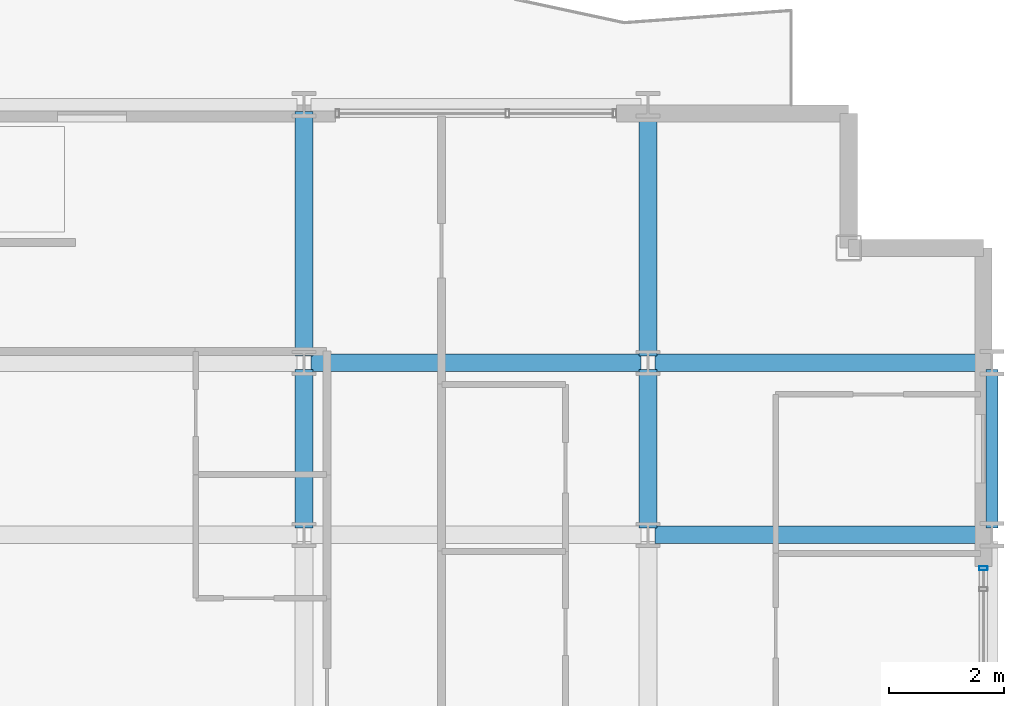
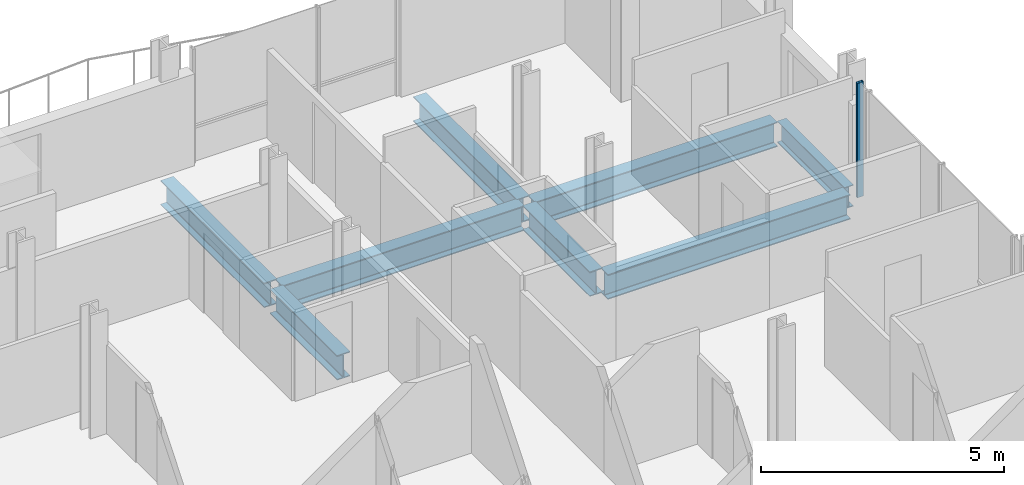
# One storey, part 20 of 41: 8 beams, 1 member, 1 element without a shape of its own.
"""IFC4 building model written with IfcOpenShell, lengths in metres."""

import ifcopenshell
import ifcopenshell.guid

model = None  # the IFC model being written
_history = None  # IfcOwnerHistory: only IFC2X3 demands one
_inside = {}  # id of a spatial element -> (the spatial element, [elements in it])
_under = {}  # id of a project, library or spatial element -> (it, [spatial elements below it])
_declared = {}  # id of a project -> (the project, [libraries it declares])
_typed = {}  # id of a type object -> (the type object, [elements of that type])
_made_of = {}  # id of a material, layer set ... -> (it, [elements and type objects made of it])


def new_model(schema):
    """Start an empty IFC model of exactly this schema.

    Asked for "IFC4X3", IfcOpenShell would pick the latest addendum, in which some entities
    have other attributes; the version numbers below select the first issue.
    IFC2X3 requires an IfcOwnerHistory on every rooted entity: one is made here for all.
    """
    global model, _history
    if schema == "IFC4X3":
        model = ifcopenshell.file(schema_version=(4, 3, 0, 0))
    else:
        model = ifcopenshell.file(schema=schema)
    _inside.clear()
    _under.clear()
    _declared.clear()
    _typed.clear()
    _made_of.clear()
    _history = None
    if model.schema == "IFC2X3":
        org = make("IfcOrganization", Name="unknown")
        user = make(
            "IfcPersonAndOrganization",
            ThePerson=make("IfcPerson", FamilyName="unknown"),
            TheOrganization=org,
        )
        app = make(
            "IfcApplication",
            ApplicationDeveloper=org,
            Version="unknown",
            ApplicationFullName="unknown",
            ApplicationIdentifier="unknown",
        )
        _history = make(
            "IfcOwnerHistory",
            OwningUser=user,
            OwningApplication=app,
            ChangeAction="ADDED",
            CreationDate=0,
        )
    return model


def make(cls, **values):
    """One entity of the class cls with the attributes given. An attribute that is None is left unset."""
    return model.create_entity(
        cls, **{name: value for name, value in values.items() if value is not None}
    )


def rooted(cls, **values):
    """An entity with a GlobalId (a new one), such as an element, a storey or a relation."""
    return make(cls, GlobalId=ifcopenshell.guid.new(), OwnerHistory=_history, **values)


def si_unit(unit_type, name, prefix=None):
    """IfcSIUnit, for example si_unit("LENGTHUNIT", "METRE", prefix="MILLI")."""
    return make("IfcSIUnit", UnitType=unit_type, Prefix=prefix, Name=name)


def assignment(units):
    """IfcUnitAssignment: the units of a project."""
    return None if units is None else make("IfcUnitAssignment", Units=units)


def point(xyz):
    """IfcCartesianPoint."""
    return None if xyz is None else make("IfcCartesianPoint", Coordinates=xyz)


def direction(xyz):
    """IfcDirection."""
    return None if xyz is None else make("IfcDirection", DirectionRatios=xyz)


def frame(location, z_axis=None, x_axis=None):
    """IfcAxis2Placement3D, a coordinate frame: its origin and axes. An axis left out is left unset."""
    return make(
        "IfcAxis2Placement3D",
        Location=point(location),
        Axis=direction(z_axis),
        RefDirection=direction(x_axis),
    )


def frame_2d(location, x_axis=None):
    """IfcAxis2Placement2D, a coordinate frame in the plane: its origin and x axis."""
    return make(
        "IfcAxis2Placement2D", Location=point(location), RefDirection=direction(x_axis)
    )


def origin():
    """The frame at (0, 0, 0) with its axes left unset."""
    return frame((0.0, 0.0, 0.0))


def origin_2d():
    """The frame at (0, 0) in the plane with its x axis left unset."""
    return frame_2d((0.0, 0.0))


def place(relative_to, where):
    """IfcLocalPlacement: puts the frame where relative to a parent placement (None: the world)."""
    return make(
        "IfcLocalPlacement", PlacementRelTo=relative_to, RelativePlacement=where
    )


def context(
    kind, dimensions, precision=None, world=None, true_north=None, identifier=None
):
    """IfcGeometricRepresentationContext, for example the 3D "Model" context."""
    return make(
        "IfcGeometricRepresentationContext",
        ContextIdentifier=identifier,
        ContextType=kind,
        CoordinateSpaceDimension=dimensions,
        Precision=precision,
        WorldCoordinateSystem=world,
        TrueNorth=true_north,
    )


def subcontext(parent, identifier, kind, view, scale=None):
    """IfcGeometricRepresentationSubContext, for example "Body" below "Model"."""
    return make(
        "IfcGeometricRepresentationSubContext",
        ContextIdentifier=identifier,
        ContextType=kind,
        ParentContext=parent,
        TargetScale=scale,
        TargetView=view,
    )


def project(units=None, contexts=None):
    """IfcProject with its units and contexts."""
    return rooted(
        "IfcProject",
        Name="project",
        RepresentationContexts=contexts,
        UnitsInContext=assignment(units),
    )


def spatial(cls, under=None, at=None, **own):
    """A site, building, storey or space (cls), placed at a placement, below another one or the project."""
    s = rooted(cls, ObjectPlacement=at, **own)
    if under is not None:
        _under.setdefault(under.id(), (under, []))[1].append(s)
    return s


def profile(cls, at=None, kind="AREA", **sizes):
    """A parametric profile (cls). Its sizes go by their IFC names, for example OverallWidth=200.0."""
    return make(cls, ProfileType=kind, Position=at, **sizes)


def hollow_rectangle(**sizes):
    """IfcRectangleHollowProfileDef."""
    return profile("IfcRectangleHollowProfileDef", **sizes)


def i_section(**sizes):
    """IfcIShapeProfileDef."""
    return profile("IfcIShapeProfileDef", **sizes)


def extrude(swept, where, along, depth):
    """IfcExtrudedAreaSolid: the profile swept, set in the frame where, extruded along a direction by depth."""
    return make(
        "IfcExtrudedAreaSolid",
        SweptArea=swept,
        Position=where,
        ExtrudedDirection=direction(along),
        Depth=depth,
    )


def shape(context_of_items, identifier, shape_type, items):
    """IfcShapeRepresentation: the items that make up one representation, for example the "Body"."""
    return make(
        "IfcShapeRepresentation",
        ContextOfItems=context_of_items,
        RepresentationIdentifier=identifier,
        RepresentationType=shape_type,
        Items=items,
    )


def material(Name=None, Category=None):
    """IfcMaterial."""
    return make("IfcMaterial", Name=Name, Category=Category)


def layer(
    of_material, thickness, ventilated=None, Name=None, Category=None, Priority=None
):
    """IfcMaterialLayer: one layer of a wall or slab, of a material (None: an air gap)."""
    return make(
        "IfcMaterialLayer",
        Material=of_material,
        LayerThickness=thickness,
        IsVentilated=ventilated,
        Name=Name,
        Category=Category,
        Priority=Priority,
    )


def layer_set(layers, Name=None):
    """IfcMaterialLayerSet."""
    return make("IfcMaterialLayerSet", MaterialLayers=layers, LayerSetName=Name)


def material_profile(
    of_material, cross_section, Name=None, Category=None, Priority=None
):
    """IfcMaterialProfile: a cross section and its material."""
    return make(
        "IfcMaterialProfile",
        Name=Name,
        Material=of_material,
        Profile=cross_section,
        Priority=Priority,
        Category=Category,
    )


def profile_set(profiles, Name=None, composite=None):
    """IfcMaterialProfileSet."""
    return make(
        "IfcMaterialProfileSet",
        Name=Name,
        MaterialProfiles=profiles,
        CompositeProfile=composite,
    )


def made_of(thing, what):
    """Note that an element or type object is made of a material, layer set ...; save() writes the relation."""
    if what is not None:
        _made_of.setdefault(what.id(), (what, []))[1].append(thing)
    return thing


def type_object(cls, material=None, **own):
    """A type object (cls), such as IfcWallType, which elements share."""
    return made_of(rooted(cls, **own), material)


def element(
    cls,
    number,
    at=None,
    inside=None,
    cuts=None,
    type_object=None,
    material=None,
    context=None,
    identifier="Body",
    shape_type=None,
    held_by="IfcProductDefinitionShape",
    body=None,
    shapes=None,
    **own,
):
    """One element of the class cls, such as IfcWall. Its Tag is "e" and its number.

    at: its placement. inside: the storey or other place that contains it. cuts: it is an
    opening in that element (IfcRelVoidsElement). A single representation is given by context,
    identifier, shape_type and body (its items); several are given by shapes. held_by: the class
    of the entity that holds the representations. save() writes the other relations.
    """
    e = rooted(cls, Tag="e%d" % number, ObjectPlacement=at, **own)
    if body is not None:
        shapes = [shape(context, identifier, shape_type, body)]
    if shapes is not None:
        e.Representation = make(held_by, Representations=shapes)
    if inside is not None:
        _inside.setdefault(inside.id(), (inside, []))[1].append(e)
    if cuts is not None:
        rooted(
            "IfcRelVoidsElement", RelatingBuildingElement=cuts, RelatedOpeningElement=e
        )
    if type_object is not None:
        _typed.setdefault(type_object.id(), (type_object, []))[1].append(e)
    return made_of(e, material)


def aggregate(whole, parts):
    """IfcRelAggregates: a whole, such as a stair, and the parts it consists of."""
    return rooted("IfcRelAggregates", RelatingObject=whole, RelatedObjects=parts)


def save(model, path):
    """Write the relations noted so far, then the file.

    IfcRelAggregates (storeys below a building ...), IfcRelContainedInSpatialStructure (elements
    in a storey), IfcRelDefinesByType, IfcRelAssociatesMaterial and IfcRelDeclares: one each for
    every whole, place, type object, material and project.
    """
    for whole, parts in _under.values():
        aggregate(whole, parts)
    for where, things in _inside.values():
        rooted(
            "IfcRelContainedInSpatialStructure",
            RelatedElements=things,
            RelatingStructure=where,
        )
    for kind, things in _typed.values():
        rooted("IfcRelDefinesByType", RelatedObjects=things, RelatingType=kind)
    for what, things in _made_of.values():
        rooted("IfcRelAssociatesMaterial", RelatedObjects=things, RelatingMaterial=what)
    for by, libraries in _declared.values():
        rooted("IfcRelDeclares", RelatingContext=by, RelatedDefinitions=libraries)
    model.write(path)


model = new_model("IFC4")

# Units and contexts
model_context = context("Model", 3, precision=1e-05, world=origin(), true_north=direction((0.0, 1.0)))
body_context = subcontext(model_context, "Body", "Model", "MODEL_VIEW")
ifc_project = project(units=[si_unit("LENGTHUNIT", "METRE"), si_unit("AREAUNIT", "SQUARE_METRE"), si_unit("VOLUMEUNIT", "CUBIC_METRE"), si_unit("PLANEANGLEUNIT", "RADIAN"), si_unit("MASSUNIT", "GRAM", prefix="KILO")], contexts=[model_context])

# Site, building, storey
site_placement = place(None, origin())
site = spatial("IfcSite", under=ifc_project, at=site_placement, CompositionType="ELEMENT")
building_placement = place(site_placement, origin())
building = spatial("IfcBuilding", under=site, at=building_placement, Name="Brevholm Reach", CompositionType="ELEMENT")
storey_placement = place(building_placement, frame((0.0, 0.0, 86.89990234375)))
storey = spatial("IfcBuildingStorey", under=building, at=storey_placement, Name="L25", CompositionType="ELEMENT", Elevation=86.89990234375)

# Beams
ifc_material_1 = material(Name="Structural Steel S355J2", Category="steel")
ifc_material_profile_1 = material_profile(ifc_material_1, i_section(OverallWidth=0.210693359375, OverallDepth=0.53955078125, WebThickness=0.01171875, FlangeThickness=0.018798828125, FilletRadius=0.0126953125, at=origin_2d()), Name="UKB 533x210x109")
ifc_profile_set_1 = profile_set([ifc_material_profile_1], Name="Structural Steel S355J2")
beam_type_1 = type_object("IfcBeamType", Name="BM-SP539", PredefinedType="SPANDREL", material=ifc_profile_set_1)
beam_1_placement = place(storey_placement, frame((60.0, 23.6201171875, -0.499755859375), z_axis=(0.0, 1.0, 0.0), x_axis=(-1.0, 0.0, 0.0)))
element("IfcBeam", 1, at=beam_1_placement, inside=storey, type_object=beam_type_1, Name="L25 SP-01B Framing Beam", PredefinedType="SPANDREL", context=body_context, shape_type="SweptSolid", body=[
    extrude(i_section(OverallWidth=0.210693359375, OverallDepth=0.53955078125, WebThickness=0.01171875, FlangeThickness=0.018798828125, FilletRadius=0.0126953125, at=origin_2d()), origin(), (0.0, 0.0, 1.0), 2.759765625),
])
ifc_material_2 = material(Name="Structural Steel S355J2", Category="steel")
ifc_material_profile_2 = material_profile(ifc_material_2, i_section(OverallWidth=0.30712890625, OverallDepth=0.6201171875, WebThickness=0.01416015625, FlangeThickness=0.023681640625, FilletRadius=0.0166015625, at=origin_2d()), Name="UKB 610x305x179")
ifc_profile_set_2 = profile_set([ifc_material_profile_2], Name="Structural Steel S355J2")
beam_type_2 = type_object("IfcBeamType", Name="BM-UKB610H", PredefinedType="USERDEFINED", material=ifc_profile_set_2)
for number, where, z_axis, x_axis, name in (
    (2, (54.1201171875, 23.5, -0.5400390625), (1.0, 0.0, 0.0), (0.0, 1.0, 0.0), "L25 G-06 Framing Beam"),
    (3, (48.1201171875, 26.5, -0.5400390625), (1.0, 0.0, 0.0), (0.0, 1.0, 0.0), "L25 G-06 Framing Beam"),
    (4, (54.1201171875, 26.5, -0.5400390625), (1.0, 0.0, 0.0), (0.0, 1.0, 0.0), "L25 G-06 Framing Beam"),
):
    element("IfcBeam", number, at=place(storey_placement, frame(where, z_axis=z_axis, x_axis=x_axis)), inside=storey, type_object=beam_type_2, Name=name, ObjectType="GIRDER", PredefinedType="USERDEFINED", context=body_context, shape_type="SweptSolid", body=[
        extrude(i_section(OverallWidth=0.30712890625, OverallDepth=0.6201171875, WebThickness=0.01416015625, FlangeThickness=0.023681640625, FilletRadius=0.0166015625, at=origin_2d()), origin(), (0.0, 0.0, 1.0), 5.759765625),
    ])
beam_2_placement = place(storey_placement, frame((48.0, 23.6201171875, -0.5400390625), z_axis=(0.0, 1.0, 0.0), x_axis=(-1.0, 0.0, 0.0)))
element("IfcBeam", 5, at=beam_2_placement, inside=storey, type_object=beam_type_2, Name="L25 G-06 Framing Beam", ObjectType="GIRDER", PredefinedType="USERDEFINED", context=body_context, shape_type="SweptSolid", body=[
    extrude(i_section(OverallWidth=0.30712890625, OverallDepth=0.6201171875, WebThickness=0.01416015625, FlangeThickness=0.023681640625, FilletRadius=0.0166015625, at=origin_2d()), origin(), (0.0, 0.0, 1.0), 2.759765625),
])
beam_3_placement = place(storey_placement, frame((48.0, 26.6201171875, -0.5400390625), z_axis=(0.0, 1.0, 0.0), x_axis=(-1.0, 0.0, 0.0)))
element("IfcBeam", 6, at=beam_3_placement, inside=storey, type_object=beam_type_2, Name="L25 G-06 Framing Beam", ObjectType="GIRDER", PredefinedType="USERDEFINED", context=body_context, shape_type="SweptSolid", body=[
    extrude(i_section(OverallWidth=0.30712890625, OverallDepth=0.6201171875, WebThickness=0.01416015625, FlangeThickness=0.023681640625, FilletRadius=0.0166015625, at=origin_2d()), origin(), (0.0, 0.0, 1.0), 4.259765625),
])
beam_4_placement = place(storey_placement, frame((54.0, 23.6201171875, -0.5400390625), z_axis=(0.0, 1.0, 0.0), x_axis=(-1.0, 0.0, 0.0)))
element("IfcBeam", 7, at=beam_4_placement, inside=storey, type_object=beam_type_2, Name="L25 G-06 Framing Beam", ObjectType="GIRDER", PredefinedType="USERDEFINED", context=body_context, shape_type="SweptSolid", body=[
    extrude(i_section(OverallWidth=0.30712890625, OverallDepth=0.6201171875, WebThickness=0.01416015625, FlangeThickness=0.023681640625, FilletRadius=0.0166015625, at=origin_2d()), origin(), (0.0, 0.0, 1.0), 2.759765625),
])
beam_5_placement = place(storey_placement, frame((54.0, 26.6201171875, -0.5400390625), z_axis=(0.0, 1.0, 0.0), x_axis=(-1.0, 0.0, 0.0)))
element("IfcBeam", 8, at=beam_5_placement, inside=storey, type_object=beam_type_2, Name="L25 G-06 Framing Beam", ObjectType="GIRDER", PredefinedType="USERDEFINED", context=body_context, shape_type="SweptSolid", body=[
    extrude(i_section(OverallWidth=0.30712890625, OverallDepth=0.6201171875, WebThickness=0.01416015625, FlangeThickness=0.023681640625, FilletRadius=0.0166015625, at=origin_2d()), origin(), (0.0, 0.0, 1.0), 4.259765625),
])

# Curtain wall, member
ifc_material_3 = material(Name="Dark Anodised Aluminium 6063-T6 and Solar-Control Glass", Category="aluminium")
ifc_layer = layer(ifc_material_3, 0.14990234375)
ifc_layer_set = layer_set([ifc_layer], Name="Dark Anodised Aluminium 6063-T6 and Solar-Control Glass")
curtain_wall_type = type_object("IfcCurtainWallType", Name="CW-01", PredefinedType="NOTDEFINED", material=ifc_layer_set)
curtain_wall_placement = place(storey_placement, origin())
curtain_wall = element("IfcCurtainWall", 9, at=curtain_wall_placement, inside=storey, type_object=curtain_wall_type, Name="L25 Curtain Wall CW-01", PredefinedType="NOTDEFINED")
ifc_material_4 = material(Name="Dark Anodised Aluminium 6063-T6", Category="aluminium")
ifc_material_profile_3 = material_profile(ifc_material_4, hollow_rectangle(XDim=0.06494140625, YDim=0.14990234375, WallThickness=0.0048828125, InnerFilletRadius=0.0048828125, OuterFilletRadius=0.010009765625, at=origin_2d()), Name="RHS 150x65x5")
ifc_profile_set_3 = profile_set([ifc_material_profile_3], Name="Dark Anodised Aluminium 6063-T6")
member_type = type_object("IfcMemberType", Name="CWM-150", PredefinedType="MULLION", material=ifc_profile_set_3)
member_placement = place(storey_placement, frame((59.85009765625, 22.91748046875, 0.0), z_axis=(0.0, 0.0, 1.0), x_axis=(0.0, 1.0, 0.0)))
member = element("IfcMember", 10, at=member_placement, type_object=member_type, Name="CM-150 Mullion 6", PredefinedType="MULLION", context=body_context, shape_type="SweptSolid", body=[
    extrude(hollow_rectangle(XDim=0.06494140625, YDim=0.14990234375, WallThickness=0.0048828125, InnerFilletRadius=0.0048828125, OuterFilletRadius=0.010009765625, at=origin_2d()), origin(), (0.0, 0.0, 1.0), 2.8701171875),
])
aggregate(curtain_wall, [member])

save(model, "model.ifc")
